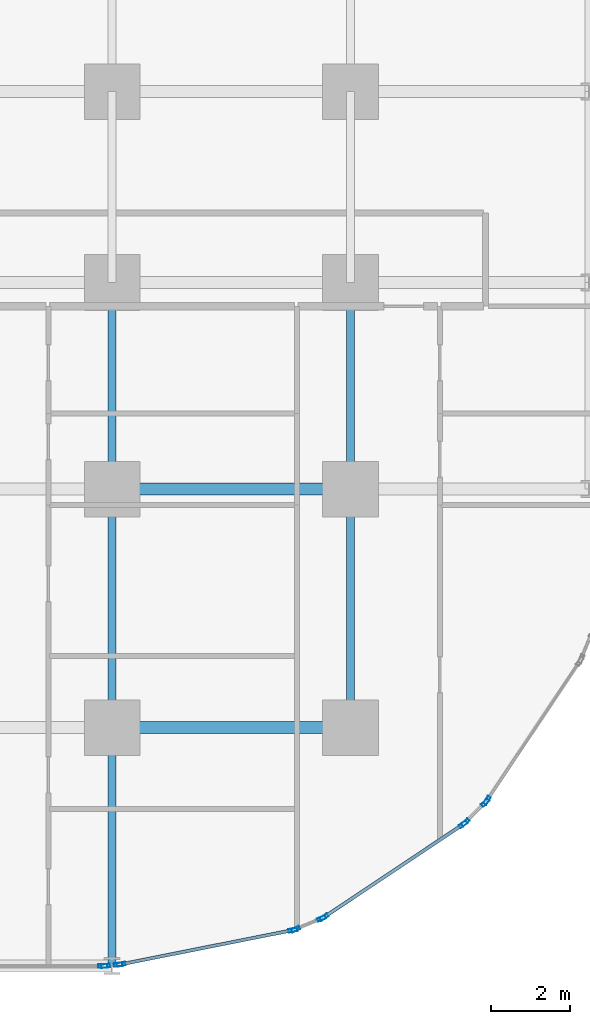
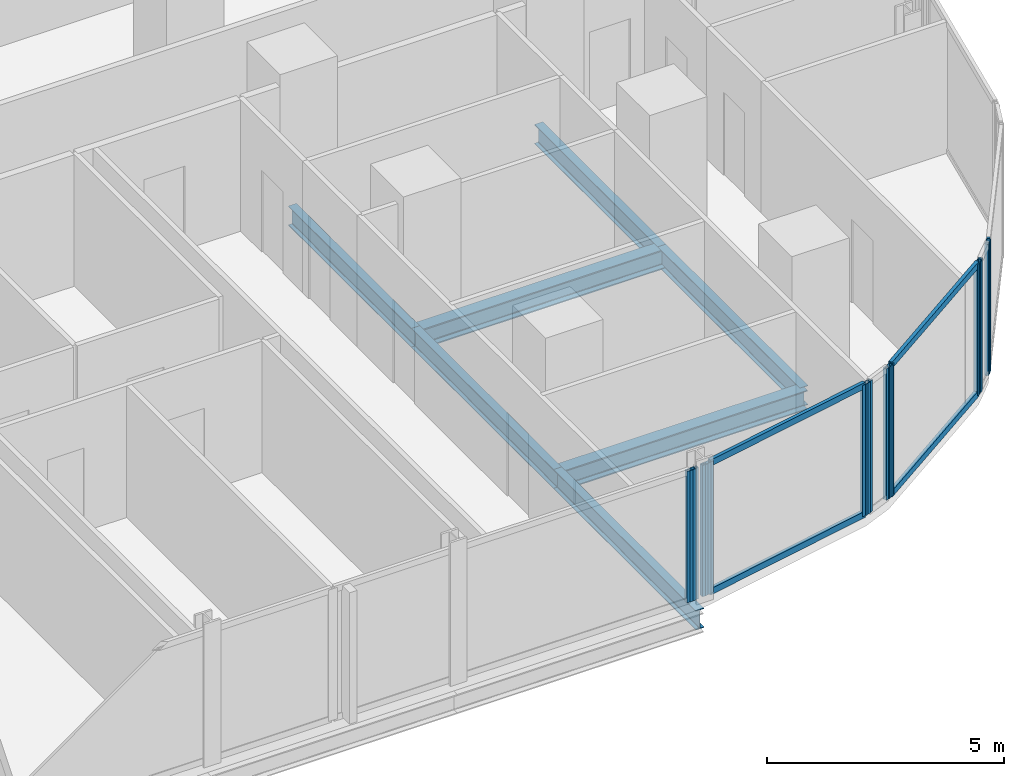
# One storey, part 9 of 34: 16 members, 7 beams, 7 elements without a shape of their own.
"""IFC4 building model written with IfcOpenShell, lengths in metres."""

from ifc_helpers import new_model, si_unit, direction, frame, origin, origin_2d, place, context, subcontext, project, spatial, hollow_rectangle, i_section, extrude, material, layer, layer_set, material_profile, profile_set, type_object, element, aggregate, save


model = new_model("IFC4")

# Units and contexts
model_context = context("Model", 3, precision=1e-05, world=origin(), true_north=direction((0.0, 1.0)))
body_context = subcontext(model_context, "Body", "Model", "MODEL_VIEW")
ifc_project = project(units=[si_unit("LENGTHUNIT", "METRE"), si_unit("AREAUNIT", "SQUARE_METRE"), si_unit("VOLUMEUNIT", "CUBIC_METRE"), si_unit("PLANEANGLEUNIT", "RADIAN"), si_unit("MASSUNIT", "GRAM", prefix="KILO")], contexts=[model_context])

# Site, building, storey
site_placement = place(None, origin())
site = spatial("IfcSite", under=ifc_project, at=site_placement, CompositionType="ELEMENT")
building_placement = place(site_placement, origin())
building = spatial("IfcBuilding", under=site, at=building_placement, Name="Keshet Zoharim Tower", CompositionType="ELEMENT")
storey_placement = place(building_placement, frame((0.0, 0.0, 46.199951171875)))
storey = spatial("IfcBuildingStorey", under=building, at=storey_placement, Name="L10", CompositionType="ELEMENT", Elevation=46.199951171875)

# Beams
ifc_material_1 = material(Name="Steel S355", Category="steel")
ifc_material_profile_1 = material_profile(ifc_material_1, i_section(OverallWidth=0.199951171875, OverallDepth=0.5, WebThickness=0.01025390625, FlangeThickness=0.01611328125, FilletRadius=0.02099609375, at=origin_2d()), Name="IPE500")
ifc_profile_set_1 = profile_set([ifc_material_profile_1], Name="Steel S355")
beam_type_1 = type_object("IfcBeamType", Name="BM-PRI-IP500", PredefinedType="BEAM", material=ifc_profile_set_1)
for number, where, z_axis, x_axis, name in (
    (1, (57.0, 0.699951171875, -0.56494140625), (0.0, 1.0, 0.0), (-1.0, 0.0, 0.0), "L10 Primary Girder Y-013"),
    (2, (57.0, 6.699951171875, -0.56494140625), (0.0, 1.0, 0.0), (-1.0, 0.0, 0.0), "L10 Primary Girder Y-014"),
):
    element("IfcBeam", number, at=place(storey_placement, frame(where, z_axis=z_axis, x_axis=x_axis)), inside=storey, type_object=beam_type_1, Name=name, PredefinedType="BEAM", context=body_context, shape_type="SweptSolid", body=[
        extrude(i_section(OverallWidth=0.199951171875, OverallDepth=0.5, WebThickness=0.01025390625, FlangeThickness=0.01611328125, FilletRadius=0.02099609375, at=origin_2d()), origin(), (0.0, 0.0, 1.0), 6.0),
    ])
beam_1_placement = place(storey_placement, frame((57.0, 12.699951171875, -0.56494140625), z_axis=(0.0, 1.0, 0.0), x_axis=(-1.0, 0.0, 0.0)))
element("IfcBeam", 3, at=beam_1_placement, inside=storey, type_object=beam_type_1, Name="L10 Primary Girder Y-015", PredefinedType="BEAM", context=body_context, shape_type="SweptSolid", body=[
    extrude(i_section(OverallWidth=0.199951171875, OverallDepth=0.5, WebThickness=0.01025390625, FlangeThickness=0.01611328125, FilletRadius=0.02099609375, at=origin_2d()), origin(), (0.0, 0.0, 1.0), 5.199951171875),
])
beam_2_placement = place(storey_placement, frame((63.0, 6.699951171875, -0.56494140625), z_axis=(0.0, 1.0, 0.0), x_axis=(-1.0, 0.0, 0.0)))
element("IfcBeam", 4, at=beam_2_placement, inside=storey, type_object=beam_type_1, Name="L10 Primary Girder Y-018", PredefinedType="BEAM", context=body_context, shape_type="SweptSolid", body=[
    extrude(i_section(OverallWidth=0.199951171875, OverallDepth=0.5, WebThickness=0.01025390625, FlangeThickness=0.01611328125, FilletRadius=0.02099609375, at=origin_2d()), origin(), (0.0, 0.0, 1.0), 6.0),
])
beam_3_placement = place(storey_placement, frame((63.0, 12.699951171875, -0.56494140625), z_axis=(0.0, 1.0, 0.0), x_axis=(-1.0, 0.0, 0.0)))
element("IfcBeam", 5, at=beam_3_placement, inside=storey, type_object=beam_type_1, Name="L10 Primary Girder Y-019", PredefinedType="BEAM", context=body_context, shape_type="SweptSolid", body=[
    extrude(i_section(OverallWidth=0.199951171875, OverallDepth=0.5, WebThickness=0.01025390625, FlangeThickness=0.01611328125, FilletRadius=0.02099609375, at=origin_2d()), origin(), (0.0, 0.0, 1.0), 5.199951171875),
])
ifc_material_profile_2 = material_profile(ifc_material_1, i_section(OverallWidth=0.300048828125, OverallDepth=0.5, WebThickness=0.014404296875, FlangeThickness=0.028076171875, FilletRadius=0.027099609375, at=origin_2d()), Name="HEB500")
ifc_profile_set_2 = profile_set([ifc_material_profile_2], Name="Steel S355")
beam_type_2 = type_object("IfcBeamType", Name="BM-WEB-HB500", PredefinedType="BEAM", material=ifc_profile_set_2)
for number, where, z_axis, x_axis, name in (
    (6, (57.0, 6.699951171875, -0.56494140625), (1.0, 0.0, 0.0), (0.0, 1.0, 0.0), "L10 Primary Girder X-010"),
    (7, (57.0, 12.699951171875, -0.56494140625), (1.0, 0.0, 0.0), (0.0, 1.0, 0.0), "L10 Primary Girder X-013"),
):
    element("IfcBeam", number, at=place(storey_placement, frame(where, z_axis=z_axis, x_axis=x_axis)), inside=storey, type_object=beam_type_2, Name=name, PredefinedType="BEAM", context=body_context, shape_type="SweptSolid", body=[
        extrude(i_section(OverallWidth=0.300048828125, OverallDepth=0.5, WebThickness=0.014404296875, FlangeThickness=0.028076171875, FilletRadius=0.027099609375, at=origin_2d()), origin(), (0.0, 0.0, 1.0), 6.0),
    ])

# Curtain wall, member
ifc_material_2 = material(Name="Aluminium 6063-T6", Category="aluminium")
ifc_layer = layer(ifc_material_2, 0.179931640625)
ifc_layer_set = layer_set([ifc_layer], Name="Aluminium 6063-T6")
curtain_wall_type = type_object("IfcCurtainWallType", Name="CW-SYS-01", PredefinedType="NOTDEFINED", material=ifc_layer_set)
curtain_wall_1_placement = place(storey_placement, origin())
curtain_wall_1 = element("IfcCurtainWall", 8, at=curtain_wall_1_placement, inside=storey, type_object=curtain_wall_type, Name="L10 Unitised Curtain Wall 20", PredefinedType="NOTDEFINED")
ifc_material_profile_3 = material_profile(ifc_material_2, hollow_rectangle(XDim=0.090087890625, YDim=0.219970703125, WallThickness=0.0048828125, at=origin_2d()), Name="MUL-90x220")
ifc_profile_set_3 = profile_set([ifc_material_profile_3], Name="Aluminium 6063-T6")
member_type_1 = type_object("IfcMemberType", Name="CWM-M22", PredefinedType="MULLION", material=ifc_profile_set_3)
member_1_placement = place(storey_placement, frame((66.432373046875, 4.8671875, 0.0), z_axis=(0.0, 0.0, 1.0), x_axis=(0.831474282335, -0.555563243758, 0.0)))
member_1 = element("IfcMember", 9, at=member_1_placement, type_object=member_type_1, Name="CW-01 mullion 2", PredefinedType="MULLION", context=body_context, shape_type="SweptSolid", body=[
    extrude(hollow_rectangle(XDim=0.090087890625, YDim=0.219970703125, WallThickness=0.0048828125, at=origin_2d()), origin(), (0.0, 0.0, 1.0), 3.385009765625),
])
aggregate(curtain_wall_1, [member_1])

# Curtain wall, members
curtain_wall_2_placement = place(storey_placement, origin())
curtain_wall_2 = element("IfcCurtainWall", 10, at=curtain_wall_2_placement, inside=storey, type_object=curtain_wall_type, Name="L10 Unitised Curtain Wall 21", PredefinedType="NOTDEFINED")
member_2_placement = place(storey_placement, frame((66.38818359375, 4.813232421875, 0.0), z_axis=(0.0, 0.0, 1.0), x_axis=(0.707106781187, -0.707106781187, 0.0)))
member_2 = element("IfcMember", 11, at=member_2_placement, type_object=member_type_1, Name="CW-01 mullion 1", PredefinedType="MULLION", context=body_context, shape_type="SweptSolid", body=[
    extrude(hollow_rectangle(XDim=0.090087890625, YDim=0.219970703125, WallThickness=0.0048828125, at=origin_2d()), origin(), (0.0, 0.0, 1.0), 3.385009765625),
])
member_3_placement = place(storey_placement, frame((65.88671875, 4.311767578125, 0.0), z_axis=(0.0, 0.0, 1.0), x_axis=(0.707106781187, -0.707106781187, 0.0)))
member_3 = element("IfcMember", 12, at=member_3_placement, type_object=member_type_1, Name="CW-01 mullion 2", PredefinedType="MULLION", context=body_context, shape_type="SweptSolid", body=[
    extrude(hollow_rectangle(XDim=0.090087890625, YDim=0.219970703125, WallThickness=0.0048828125, at=origin_2d()), origin(), (0.0, 0.0, 1.0), 3.385009765625),
])
aggregate(curtain_wall_2, [member_2, member_3])

curtain_wall_3_placement = place(storey_placement, origin())
curtain_wall_3 = element("IfcCurtainWall", 13, at=curtain_wall_3_placement, inside=storey, type_object=curtain_wall_type, Name="L10 Unitised Curtain Wall 22", PredefinedType="NOTDEFINED")
member_4_placement = place(storey_placement, frame((65.8330078125, 4.267578125, 0.0), z_axis=(0.0, 0.0, 1.0), x_axis=(0.555563243758, -0.831474282335, 0.0)))
member_4 = element("IfcMember", 14, at=member_4_placement, type_object=member_type_1, Name="CW-01 mullion 1", PredefinedType="MULLION", context=body_context, shape_type="SweptSolid", body=[
    extrude(hollow_rectangle(XDim=0.090087890625, YDim=0.219970703125, WallThickness=0.0048828125, at=origin_2d()), origin(), (0.0, 0.0, 1.0), 3.385009765625),
])
member_5_placement = place(storey_placement, frame((62.335205078125, 1.930419921875, 0.0), z_axis=(0.0, 0.0, 1.0), x_axis=(0.555563243758, -0.831474282335, 0.0)))
member_5 = element("IfcMember", 15, at=member_5_placement, type_object=member_type_1, Name="CW-01 mullion 2", PredefinedType="MULLION", context=body_context, shape_type="SweptSolid", body=[
    extrude(hollow_rectangle(XDim=0.090087890625, YDim=0.219970703125, WallThickness=0.0048828125, at=origin_2d()), origin(), (0.0, 0.0, 1.0), 3.385009765625),
])

curtain_wall_4_placement = place(storey_placement, origin())
curtain_wall_4 = element("IfcCurtainWall", 16, at=curtain_wall_4_placement, inside=storey, type_object=curtain_wall_type, Name="L10 Unitised Curtain Wall 23", PredefinedType="NOTDEFINED")
member_6_placement = place(storey_placement, frame((62.273681640625, 1.897705078125, 0.0), z_axis=(0.0, 0.0, 1.0), x_axis=(0.383068349739, -0.923720000557, 0.0)))
member_6 = element("IfcMember", 17, at=member_6_placement, type_object=member_type_1, Name="CW-01 mullion 1", PredefinedType="MULLION", context=body_context, shape_type="SweptSolid", body=[
    extrude(hollow_rectangle(XDim=0.090087890625, YDim=0.219970703125, WallThickness=0.0048828125, at=origin_2d()), origin(), (0.0, 0.0, 1.0), 3.385009765625),
])
member_7_placement = place(storey_placement, frame((61.617431640625, 1.62548828125, 0.0), z_axis=(0.0, 0.0, 1.0), x_axis=(0.383068349739, -0.923720000557, 0.0)))
member_7 = element("IfcMember", 18, at=member_7_placement, type_object=member_type_1, Name="CW-01 mullion 2", PredefinedType="MULLION", context=body_context, shape_type="SweptSolid", body=[
    extrude(hollow_rectangle(XDim=0.090087890625, YDim=0.219970703125, WallThickness=0.0048828125, at=origin_2d()), origin(), (0.0, 0.0, 1.0), 3.385009765625),
])
aggregate(curtain_wall_4, [member_6, member_7])

curtain_wall_5_placement = place(storey_placement, origin())
curtain_wall_5 = element("IfcCurtainWall", 19, at=curtain_wall_5_placement, inside=storey, type_object=curtain_wall_type, Name="L10 Unitised Curtain Wall 24", PredefinedType="NOTDEFINED")
member_8_placement = place(storey_placement, frame((61.55078125, 1.605224609375, 0.0), z_axis=(0.0, 0.0, 1.0), x_axis=(0.195171279072, -0.98076917357, 0.0)))
member_8 = element("IfcMember", 20, at=member_8_placement, type_object=member_type_1, Name="CW-01 mullion 1", PredefinedType="MULLION", context=body_context, shape_type="SweptSolid", body=[
    extrude(hollow_rectangle(XDim=0.090087890625, YDim=0.219970703125, WallThickness=0.0048828125, at=origin_2d()), origin(), (0.0, 0.0, 1.0), 3.385009765625),
])
member_9_placement = place(storey_placement, frame((57.227294921875, 0.744873046875, 0.0), z_axis=(0.0, 0.0, 1.0), x_axis=(0.195171279072, -0.98076917357, 0.0)))
member_9 = element("IfcMember", 21, at=member_9_placement, type_object=member_type_1, Name="CW-01 mullion 2", PredefinedType="MULLION", context=body_context, shape_type="SweptSolid", body=[
    extrude(hollow_rectangle(XDim=0.090087890625, YDim=0.219970703125, WallThickness=0.0048828125, at=origin_2d()), origin(), (0.0, 0.0, 1.0), 3.385009765625),
])

curtain_wall_6_placement = place(storey_placement, origin())
curtain_wall_6 = element("IfcCurtainWall", 22, at=curtain_wall_6_placement, inside=storey, type_object=curtain_wall_type, Name="L10 Unitised Curtain Wall 25", PredefinedType="NOTDEFINED")
member_10_placement = place(storey_placement, frame((57.158203125, 0.734619140625, 0.0), z_axis=(0.0, 0.0, 1.0), x_axis=(0.096976648633, -0.995286657009, 0.0)))
member_10 = element("IfcMember", 23, at=member_10_placement, type_object=member_type_1, Name="CW-01 mullion 1", PredefinedType="MULLION", context=body_context, shape_type="SweptSolid", body=[
    extrude(hollow_rectangle(XDim=0.090087890625, YDim=0.219970703125, WallThickness=0.0048828125, at=origin_2d()), origin(), (0.0, 0.0, 1.0), 3.385009765625),
])
member_11_placement = place(storey_placement, frame((56.837890625, 0.703369140625, 0.0), z_axis=(0.0, 0.0, 1.0), x_axis=(0.096976648633, -0.995286657009, 0.0)))
member_11 = element("IfcMember", 24, at=member_11_placement, type_object=member_type_1, Name="CW-01 mullion 2", PredefinedType="MULLION", context=body_context, shape_type="SweptSolid", body=[
    extrude(hollow_rectangle(XDim=0.090087890625, YDim=0.219970703125, WallThickness=0.0048828125, at=origin_2d()), origin(), (0.0, 0.0, 1.0), 3.385009765625),
])
aggregate(curtain_wall_6, [member_10, member_11])

# Curtain wall, member
curtain_wall_7_placement = place(storey_placement, origin())
curtain_wall_7 = element("IfcCurtainWall", 25, at=curtain_wall_7_placement, inside=storey, type_object=curtain_wall_type, Name="L10 Unitised Curtain Wall 26", PredefinedType="NOTDEFINED")
member_12_placement = place(storey_placement, frame((56.76806640625, 0.699951171875, 0.0), z_axis=(0.0, 0.0, 1.0), x_axis=(0.0, -1.0, 0.0)))
member_12 = element("IfcMember", 26, at=member_12_placement, type_object=member_type_1, Name="CW-01 mullion 1", PredefinedType="MULLION", context=body_context, shape_type="SweptSolid", body=[
    extrude(hollow_rectangle(XDim=0.090087890625, YDim=0.219970703125, WallThickness=0.0048828125, at=origin_2d()), origin(), (0.0, 0.0, 1.0), 3.385009765625),
])
aggregate(curtain_wall_7, [member_12])

# Member
ifc_material_profile_4 = material_profile(ifc_material_2, hollow_rectangle(XDim=0.0849609375, YDim=0.159912109375, WallThickness=0.00439453125, at=origin_2d()), Name="TRN-85x160")
ifc_profile_set_4 = profile_set([ifc_material_profile_4], Name="Aluminium 6063-T6")
member_type_2 = type_object("IfcMemberType", Name="CWT-T16", PredefinedType="USERDEFINED", material=ifc_profile_set_4)
member_13_placement = place(storey_placement, frame((65.8037109375, 4.248046875, 0.03515625), z_axis=(-0.831477809106, -0.55555796544, 0.0), x_axis=(0.55555796544, -0.831477809106, 0.0)))
member_13 = element("IfcMember", 27, at=member_13_placement, type_object=member_type_2, Name="CW-01 transom 1.1", ObjectType="TRANSOM", PredefinedType="USERDEFINED", context=body_context, shape_type="SweptSolid", body=[
    extrude(hollow_rectangle(XDim=0.0849609375, YDim=0.159912109375, WallThickness=0.00439453125, at=origin_2d()), origin(), (0.0, 0.0, 1.0), 4.136474609375),
])

member_14_placement = place(storey_placement, frame((65.8037109375, 4.248046875, 3.35009765625), z_axis=(-0.831477809106, -0.55555796544, 0.0), x_axis=(0.55555796544, -0.831477809106, 0.0)))
member_14 = element("IfcMember", 28, at=member_14_placement, type_object=member_type_2, Name="CW-01 transom 1.2", ObjectType="TRANSOM", PredefinedType="USERDEFINED", context=body_context, shape_type="SweptSolid", body=[
    extrude(hollow_rectangle(XDim=0.0849609375, YDim=0.159912109375, WallThickness=0.00439453125, at=origin_2d()), origin(), (0.0, 0.0, 1.0), 4.136474609375),
])

aggregate(curtain_wall_3, [member_4, member_5, member_13, member_14])

member_15_placement = place(storey_placement, frame((61.516357421875, 1.598388671875, 0.03515625), z_axis=(-0.980768540739, -0.195174459131, 0.0), x_axis=(0.195174459131, -0.980768540739, 0.0)))
member_15 = element("IfcMember", 29, at=member_15_placement, type_object=member_type_2, Name="CW-01 transom 1.1", ObjectType="TRANSOM", PredefinedType="USERDEFINED", context=body_context, shape_type="SweptSolid", body=[
    extrude(hollow_rectangle(XDim=0.0849609375, YDim=0.159912109375, WallThickness=0.00439453125, at=origin_2d()), origin(), (0.0, 0.0, 1.0), 4.338134765625),
])

member_16_placement = place(storey_placement, frame((61.516357421875, 1.598388671875, 3.35009765625), z_axis=(-0.980768540739, -0.195174459131, 0.0), x_axis=(0.195174459131, -0.980768540739, 0.0)))
member_16 = element("IfcMember", 30, at=member_16_placement, type_object=member_type_2, Name="CW-01 transom 1.2", ObjectType="TRANSOM", PredefinedType="USERDEFINED", context=body_context, shape_type="SweptSolid", body=[
    extrude(hollow_rectangle(XDim=0.0849609375, YDim=0.159912109375, WallThickness=0.00439453125, at=origin_2d()), origin(), (0.0, 0.0, 1.0), 4.338134765625),
])

aggregate(curtain_wall_5, [member_8, member_9, member_15, member_16])

save(model, "model.ifc")
